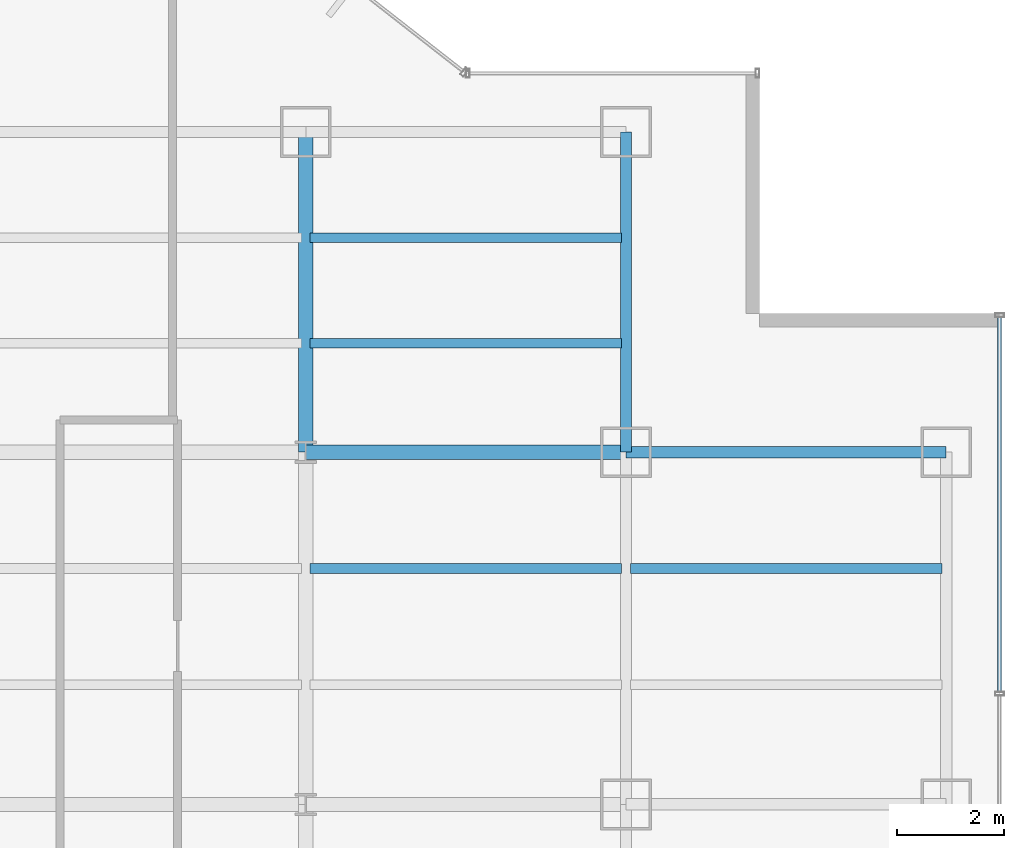
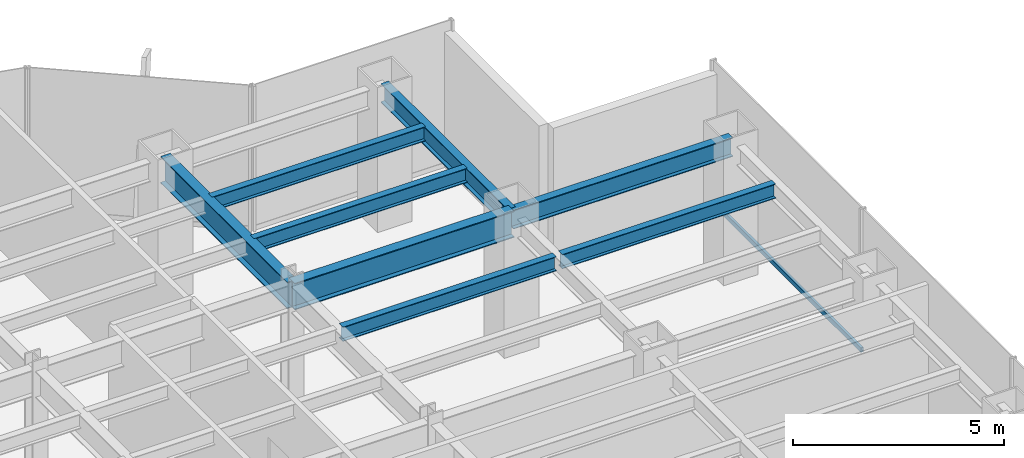
# One storey, part 24 of 35: 8 beams, 1 member, 1 element without a shape of its own.
"""IFC4 building model written with IfcOpenShell, lengths in metres."""

from ifc_helpers import new_model, si_unit, derived_unit, direction, frame, origin, origin_2d, place, context, subcontext, project, spatial, hollow_rectangle, i_section, extrude, source, transform, mapped, material, material_profile, profile_set, type_object, element, aggregate, save


model = new_model("IFC4")

# Units and contexts
model_context = context("Model", 3, precision=1e-05, world=origin(), true_north=direction((0.0, 1.0)))
body_context = subcontext(model_context, "Body", "Model", "MODEL_VIEW")
ifc_project = project(units=[si_unit("LENGTHUNIT", "METRE"), si_unit("AREAUNIT", "SQUARE_METRE"), si_unit("VOLUMEUNIT", "CUBIC_METRE"), si_unit("PLANEANGLEUNIT", "RADIAN"), si_unit("MASSUNIT", "GRAM", prefix="KILO"), derived_unit("THERMALTRANSMITTANCEUNIT", [(si_unit("POWERUNIT", "WATT"), 1), (si_unit("LENGTHUNIT", "METRE"), -2), (si_unit("THERMODYNAMICTEMPERATUREUNIT", "KELVIN"), -1)])], contexts=[model_context])

# Site, building, storey
site_placement = place(None, origin())
site = spatial("IfcSite", under=ifc_project, at=site_placement, CompositionType="ELEMENT")
building_placement = place(site_placement, origin())
building = spatial("IfcBuilding", under=site, at=building_placement, Name="Skarnbrae Concourse Arena and Tower", CompositionType="ELEMENT")
storey_placement = place(building_placement, frame((0.0, 0.0, 79.949951171875)))
storey = spatial("IfcBuildingStorey", under=building, at=storey_placement, Name="L19", CompositionType="ELEMENT", Elevation=79.949951171875)

# Beams
ifc_material_1 = material(Name="Steel CSA G40.21 350W", Category="steel")
ifc_material_profile_1 = material_profile(ifc_material_1, i_section(OverallWidth=0.214111328125, OverallDepth=0.549072265625, WebThickness=0.0146484375, FlangeThickness=0.023681640625, at=origin_2d()), Name="W530X138")
ifc_profile_set_1 = profile_set([ifc_material_profile_1], Name="Steel CSA G40.21 350W")
beam_type_1 = type_object("IfcBeamType", Name="BM-SPAN-W530X138", PredefinedType="SPANDREL", material=ifc_profile_set_1)
shared_shape_1 = source(origin(), body_context, "Body", "SweptSolid", [
    extrude(i_section(OverallWidth=0.214111328125, OverallDepth=0.549072265625, WebThickness=0.0146484375, FlangeThickness=0.023681640625, at=origin_2d()), origin(), (0.0, 0.0, 1.0), 6.0),
])
for number, where, z_axis, x_axis, name in (
    (1, (55.0, 34.39990234375, 3.62548828125), (1.0, 0.0, 0.0), (0.0, 1.0, 0.0), "L19 Perimeter spandrel Y34.4-9"),
    (2, (55.0, 34.39990234375, 3.62548828125), (0.0, 1.0, 0.0), (-1.0, 0.0, 0.0), "L19 Perimeter spandrel X55.0-5"),
):
    element("IfcBeam", number, at=place(storey_placement, frame(where, z_axis=z_axis, x_axis=x_axis)), inside=storey, type_object=beam_type_1, Name=name, PredefinedType="SPANDREL", context=body_context, shape_type="MappedRepresentation", body=[
        mapped(shared_shape_1, transform((0.0, 0.0, 0.0))),
    ])
ifc_material_profile_2 = material_profile(ifc_material_1, i_section(OverallWidth=0.26806640625, OverallDepth=0.77001953125, WebThickness=0.015625, FlangeThickness=0.025390625, at=origin_2d()), Name="W760X196")
ifc_profile_set_2 = profile_set([ifc_material_profile_2], Name="Steel CSA G40.21 350W")
beam_type_2 = type_object("IfcBeamType", Name="BM-GIRD-W760X196", PredefinedType="BEAM", material=ifc_profile_set_2)
shared_shape_2 = source(origin(), body_context, "Body", "SweptSolid", [
    extrude(i_section(OverallWidth=0.26806640625, OverallDepth=0.77001953125, WebThickness=0.015625, FlangeThickness=0.025390625, at=origin_2d()), origin(), (0.0, 0.0, 1.0), 6.0),
])
for number, where, z_axis, x_axis, name in (
    (3, (49.0, 34.39990234375, 3.51513671875), (1.0, 0.0, 0.0), (0.0, 1.0, 0.0), "L19 Primary E-W girder Y34.4-8"),
    (4, (49.0, 34.39990234375, 3.51513671875), (0.0, 1.0, 0.0), (-1.0, 0.0, 0.0), "L19 Primary N-S girder X49.0-5"),
):
    element("IfcBeam", number, at=place(storey_placement, frame(where, z_axis=z_axis, x_axis=x_axis)), inside=storey, type_object=beam_type_2, Name=name, PredefinedType="BEAM", context=body_context, shape_type="MappedRepresentation", body=[
        mapped(shared_shape_2, transform((0.0, 0.0, 0.0))),
    ])
ifc_material_profile_3 = material_profile(ifc_material_1, i_section(OverallWidth=0.180908203125, OverallDepth=0.4169921875, WebThickness=0.010986328125, FlangeThickness=0.018310546875, at=origin_2d()), Name="W410X85")
ifc_profile_set_3 = profile_set([ifc_material_profile_3], Name="Steel CSA G40.21 350W")
beam_type_3 = type_object("IfcBeamType", Name="BM-JOIST-W410X85", PredefinedType="JOIST", material=ifc_profile_set_3)
shared_shape_3 = source(origin(), body_context, "Body", "SweptSolid", [
    extrude(i_section(OverallWidth=0.180908203125, OverallDepth=0.4169921875, WebThickness=0.010986328125, FlangeThickness=0.018310546875, at=origin_2d()), origin(), (0.0, 0.0, 1.0), 5.83984375),
])
for number, where, z_axis, x_axis, name in (
    (5, (49.080078125, 32.221923828125, 3.691650390625), (1.0, 0.0, 0.0), (0.0, 1.0, 0.0), "L19 Secondary floor joist 3.2.8"),
    (6, (55.080078125, 32.221923828125, 3.691650390625), (1.0, 0.0, 0.0), (0.0, 1.0, 0.0), "L19 Secondary floor joist 3.2.9"),
    (7, (49.080078125, 36.43994140625, 3.691650390625), (1.0, 0.0, 0.0), (0.0, 1.0, 0.0), "L19 Secondary floor joist 4.1.7"),
    (8, (49.080078125, 38.419921875, 3.691650390625), (1.0, 0.0, 0.0), (0.0, 1.0, 0.0), "L19 Secondary floor joist 4.2.7"),
):
    element("IfcBeam", number, at=place(storey_placement, frame(where, z_axis=z_axis, x_axis=x_axis)), inside=storey, type_object=beam_type_3, Name=name, PredefinedType="JOIST", context=body_context, shape_type="MappedRepresentation", body=[
        mapped(shared_shape_3, transform((0.0, 0.0, 0.0))),
    ])

# Curtain wall, member
ifc_material_2 = material(Name="Bronze anodised aluminium 6063-T6", Category="aluminium")
curtain_wall_type = type_object("IfcCurtainWallType", Name="CW-SYS-06-SKYLOBBY", PredefinedType="USERDEFINED", material=ifc_material_2)
curtain_wall_placement = place(storey_placement, origin())
curtain_wall = element("IfcCurtainWall", 9, at=curtain_wall_placement, inside=storey, type_object=curtain_wall_type, Name="L19 Unitised curtain wall CW-L19-E04", ObjectType="UNITISED CURTAIN WALL", PredefinedType="USERDEFINED")
ifc_material_profile_4 = material_profile(ifc_material_2, hollow_rectangle(XDim=0.070068359375, YDim=0.135009765625, WallThickness=0.00390625, at=origin_2d()), Name="ALU-TRAN-70X135")
ifc_profile_set_4 = profile_set([ifc_material_profile_4], Name="Bronze anodised aluminium 6063-T6")
member_type = type_object("IfcMemberType", Name="CWT-CW-06", PredefinedType="USERDEFINED", material=ifc_profile_set_4)
shared_shape_4 = source(origin(), body_context, "Body", "SweptSolid", [
    extrude(hollow_rectangle(XDim=0.070068359375, YDim=0.135009765625, WallThickness=0.00390625, at=origin_2d()), origin(), (0.0, 0.0, 1.0), 7.02001953125),
])
member_placement = place(storey_placement, frame((62.0, 29.909912109375, 0.067626953125), z_axis=(0.0, 1.0, 0.0), x_axis=(-1.0, 0.0, 0.0)))
member = element("IfcMember", 10, at=member_placement, type_object=member_type, Name="CW-L19-E04 Transom 4", ObjectType="TRANSOM", PredefinedType="USERDEFINED", context=body_context, shape_type="MappedRepresentation", body=[
    mapped(shared_shape_4, transform((0.0, 0.0, 0.0))),
])
aggregate(curtain_wall, [member])

save(model, "model.ifc")
